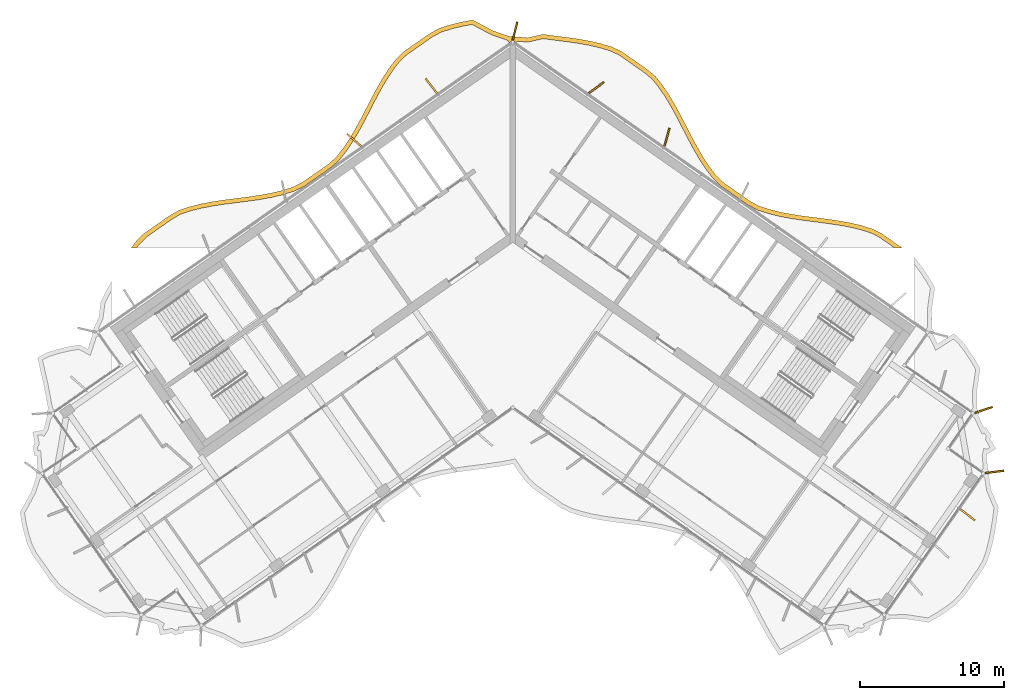
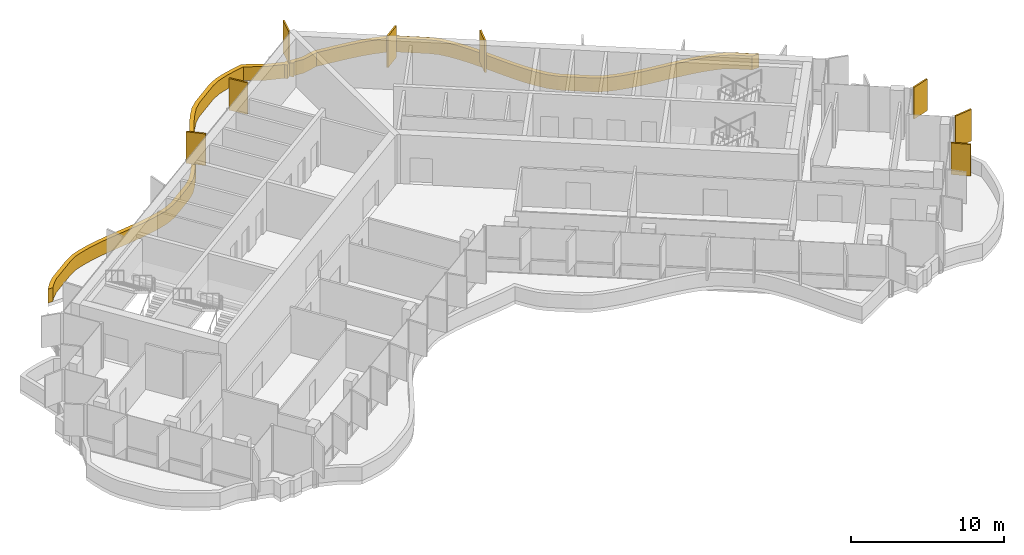
# One storey, part 20 of 20: 9 shading devices.
"""IFC4 building model written with IfcOpenShell, lengths in metres."""

from ifc_helpers import new_model, si_unit, direction, frame, origin, origin_2d, place, context, subcontext, project, spatial, polyline, rectangle, outline, extrude, material, layer, layer_set, type_object, element, save


model = new_model("IFC4")

# Units and contexts
model_context = context("Model", 3, precision=1e-05, world=origin(), true_north=direction((0.0, 1.0)))
body_context = subcontext(model_context, "Body", "Model", "MODEL_VIEW")
ifc_project = project(units=[si_unit("LENGTHUNIT", "METRE"), si_unit("AREAUNIT", "SQUARE_METRE"), si_unit("VOLUMEUNIT", "CUBIC_METRE"), si_unit("PLANEANGLEUNIT", "RADIAN"), si_unit("MASSUNIT", "GRAM", prefix="KILO")], contexts=[model_context])

# Site, building, storey
site_placement = place(None, origin())
site = spatial("IfcSite", under=ifc_project, at=site_placement, CompositionType="ELEMENT")
building_placement = place(site_placement, origin())
building = spatial("IfcBuilding", under=site, at=building_placement, Name="Tel Ilan Convention Tower", CompositionType="ELEMENT")
storey_placement = place(building_placement, frame((0.0, 0.0, 233.199951171875)))
storey = spatial("IfcBuildingStorey", under=building, at=storey_placement, Name="L54", CompositionType="ELEMENT", Elevation=233.199951171875)

# Shading devices
ifc_material_1 = material(Name="Aluminium, bronze anodised", Category="aluminium")
ifc_layer_1 = layer(ifc_material_1, 0.1201171875)
ifc_layer_set_1 = layer_set([ifc_layer_1], Name="FIN BRONZE 1300x120")
shading_device_type_1 = type_object("IfcShadingDeviceType", Name="FIN BRONZE 1300x120", PredefinedType="USERDEFINED", material=ifc_layer_set_1)
for number, where, z_axis, x_axis, name in (
    (1, (10.716064453125, 6.086669921875, 1.10009765625), (0.0, 0.0, 1.0), (0.268172612768, 0.963370878614, 0.0), "FIN"),
    (2, (5.80517578125, 9.525390625, 1.10009765625), (0.0, 0.0, 1.0), (0.813552070258, 0.581492071294, 0.0), "FIN"),
    (3, (0.156005859375, 13.463134765625, 1.10009765625), (0.0, 0.0, 1.0), (0.240039791311, 0.970763049661, 0.0), "FIN"),
    (4, (-5.664794921875, 9.647216796875, 1.10009765625), (0.0, 0.0, 1.0), (-0.612600545196, 0.790392669516, 0.0), "FIN"),
    (5, (-11.028076171875, 5.88330078125, 1.10009765625), (0.0, 0.0, 1.0), (-0.753435896329, 0.657521368568, 0.0), "FIN"),
    (6, (31.60693359375, -20.155517578125, 1.10009765625), (0.0, 0.0, 1.0), (0.790392669516, -0.612600545196, 0.0), "FIN"),
    (7, (33.48779296875, -17.175537109375, 1.10009765625), (0.0, 0.0, 1.0), (0.992066016082, 0.125718016748, 0.0), "FIN"),
    (8, (32.72900390625, -12.87353515625, 1.10009765625), (0.0, 0.0, 1.0), (0.949242643575, 0.314544756146, 0.0), "FIN"),
):
    element("IfcShadingDevice", number, at=place(storey_placement, frame(where, z_axis=z_axis, x_axis=x_axis)), inside=storey, type_object=shading_device_type_1, Name=name, ObjectType="FIN", PredefinedType="USERDEFINED", context=body_context, shape_type="SweptSolid", body=[
        extrude(rectangle(XDim=1.300048828125, YDim=0.1201171875, at=origin_2d()), origin(), (0.0, 0.0, 1.0), 2.52001953125),
    ])
ifc_material_2 = material(Name="Aluminium, bronze anodised", Category="aluminium")
ifc_layer_2 = layer(ifc_material_2, 0.300048828125)
ifc_layer_set_2 = layer_set([ifc_layer_2], Name="LOUVRE BAND 300x1100")
shading_device_type_2 = type_object("IfcShadingDeviceType", Name="LOUVRE BAND 300x1100", PredefinedType="USERDEFINED", material=ifc_layer_set_2)
shading_device_placement = place(storey_placement, origin())
element("IfcShadingDevice", 9, at=shading_device_placement, inside=storey, type_object=shading_device_type_2, Name="LOUVRE BAND 42.02", ObjectType="LOUVRE", PredefinedType="USERDEFINED", context=body_context, shape_type="SweptSolid", body=[
    extrude(outline(polyline([(-26.1787109375, -1.1572265625), (-26.535888671875, -1.631591796875), (-26.160400390625, -1.631591796875), (-25.951416015625, -1.35400390625), (-25.457275390625, -0.856689453125), (-23.680908203125, 0.38720703125), (-23.075439453125, 0.7314453125), (-22.38525390625, 0.962158203125), (-21.640625, 1.14990234375), (-20.86181640625, 1.298828125), (-20.0576171875, 1.420166015625), (-18.409423828125, 1.63232421875), (-17.585205078125, 1.750732421875), (-16.773193359375, 1.89599609375), (-15.982666015625, 2.081298828125), (-15.212646484375, 2.320556640625), (-14.499267578125, 2.665771484375), (-12.656005859375, 3.956298828125), (-12.066162109375, 4.474609375), (-11.566650390625, 5.110107421875), (-11.115234375, 5.78173828125), (-10.696044921875, 6.4892578125), (-10.29931640625, 7.220458984375), (-9.535400390625, 8.69873046875), (-9.148681640625, 9.41796875), (-8.746337890625, 10.106201171875), (-8.320556640625, 10.751220703125), (-7.871337890625, 11.33544921875), (-7.3623046875, 11.813720703125), (-5.585693359375, 13.0576171875), (-4.96826171875, 13.382568359375), (-4.27001953125, 13.607666015625), (-3.520751953125, 13.78955078125), (-2.834228515625, 13.914794921875), (-1.477294921875, 13.19677734375), (-0.362060546875, 12.81201171875), (-0.24609375, 12.646728515625), (0.0, 12.818115234375), (0.24609375, 12.646728515625), (0.318603515625, 12.75), (1.040771484375, 12.687744140625), (2.10400390625, 12.9296875), (3.699462890625, 12.72509765625), (4.510009765625, 12.60986328125), (5.2978515625, 12.47119140625), (6.054443359375, 12.297119140625), (6.765625, 12.080078125), (7.40185546875, 11.785888671875), (9.17822265625, 10.5419921875), (9.708740234375, 10.0908203125), (10.16162109375, 9.521240234375), (10.5927734375, 8.885498046875), (10.9990234375, 8.204833984375), (11.38818359375, 7.49072265625), (12.151123046875, 6.014404296875), (12.54443359375, 5.2802734375), (12.958740234375, 4.567138671875), (13.403076171875, 3.8876953125), (13.891357421875, 3.245849609375), (14.459716796875, 2.693359375), (16.302978515625, 1.40283203125), (16.991455078125, 1.02587890625), (17.759521484375, 0.773681640625), (18.544921875, 0.579345703125), (19.353271484375, 0.42724609375), (20.176025390625, 0.3046875), (21.826416015625, 0.092529296875), (22.634765625, -0.025146484375), (23.4189453125, -0.167724609375), (24.1708984375, -0.34716796875), (24.873291015625, -0.569580078125), (25.496826171875, -0.88427734375), (26.56396484375, -1.631591796875), (27.087158203125, -1.631591796875), (25.6513671875, -0.626220703125), (24.987060546875, -0.290771484375), (24.2509765625, -0.057861328125), (23.480712890625, 0.1259765625), (22.68310546875, 0.27099609375), (21.8671875, 0.3896484375), (20.21728515625, 0.601806640625), (19.4033203125, 0.72314453125), (18.60888671875, 0.87255859375), (17.842529296875, 1.062255859375), (17.111328125, 1.30224609375), (16.46142578125, 1.657958984375), (15.2548828125, 2.5029296875), (14.6513671875, 2.92529296875), (14.116455078125, 3.4453125), (13.648193359375, 4.060791015625), (13.214111328125, 4.724609375), (12.806396484375, 5.426513671875), (12.416748046875, 6.154052734375), (11.653076171875, 7.631591796875), (11.259521484375, 8.353515625), (10.845947265625, 9.046875), (10.403564453125, 9.69921875), (9.925537109375, 10.300537109375), (9.36181640625, 10.77978515625), (7.552001953125, 12.047119140625), (6.872802734375, 12.361083984375), (6.132080078125, 12.587158203125), (5.357666015625, 12.765380859375), (4.55712890625, 12.90625), (3.739501953125, 13.0224609375), (2.08935546875, 13.234130859375), (1.02001953125, 12.99072265625), (0.168701171875, 13.059326171875), (0.11474609375, 13.09521484375), (0.0, 13.1181640625), (-0.11474609375, 13.09521484375), (-0.168701171875, 13.059326171875), (-1.357666015625, 13.472900390625), (-2.785888671875, 14.228515625), (-3.5830078125, 14.083251953125), (-4.3515625, 13.896484375), (-5.0849609375, 13.66015625), (-5.7421875, 13.314453125), (-7.552001953125, 12.047119140625), (-8.09423828125, 11.53759765625), (-8.56494140625, 10.925537109375), (-9.001220703125, 10.264404296875), (-9.410400390625, 9.564697265625), (-9.801025390625, 8.838623046875), (-10.564453125, 7.36083984375), (-10.95703125, 6.63720703125), (-11.369140625, 5.94189453125), (-11.809326171875, 5.28662109375), (-12.284912109375, 4.681640625), (-12.841552734375, 4.192626953125), (-14.6513671875, 2.92529296875), (-15.3232421875, 2.6005859375), (-16.0615234375, 2.370849609375), (-16.833984375, 2.18994140625), (-17.6328125, 2.046875), (-18.44970703125, 1.9296875), (-20.099365234375, 1.71728515625), (-20.91259765625, 1.594482421875), (-21.705322265625, 1.44287109375), (-22.4697265625, 1.250244140625), (-23.1982421875, 1.0068359375), (-23.84130859375, 0.64111328125), (-25.6513671875, -0.626220703125), (-26.1787109375, -1.1572265625)])), origin(), (0.0, 0.0, 1.0), 1.10009765625),
])

save(model, "model.ifc")
